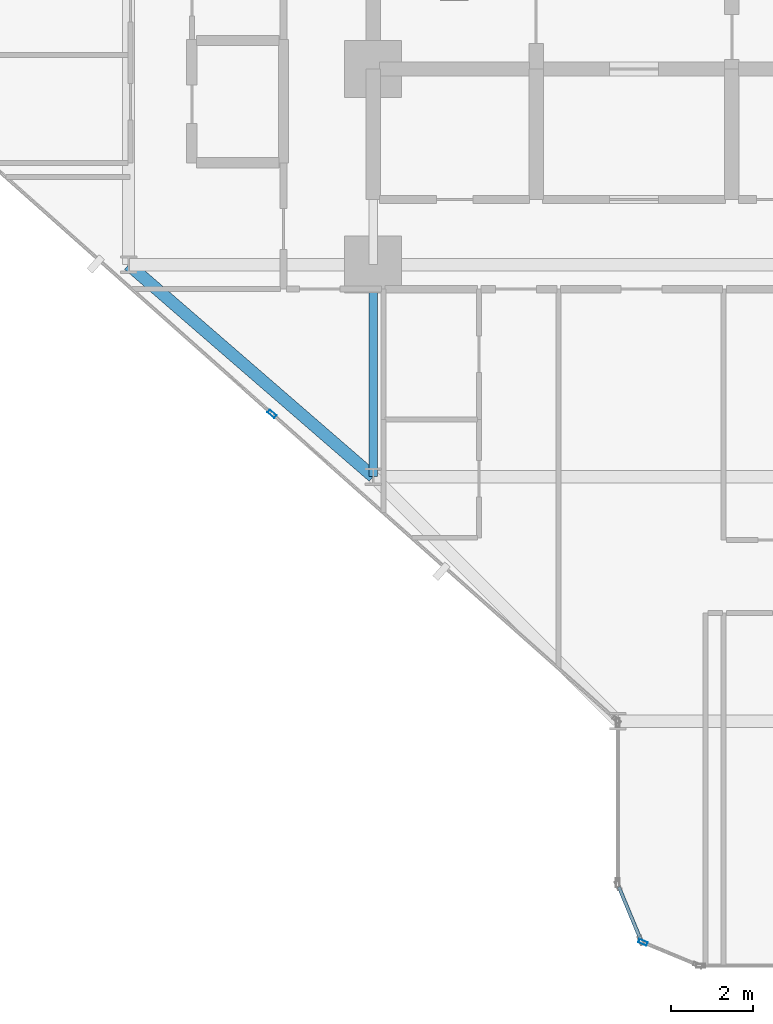
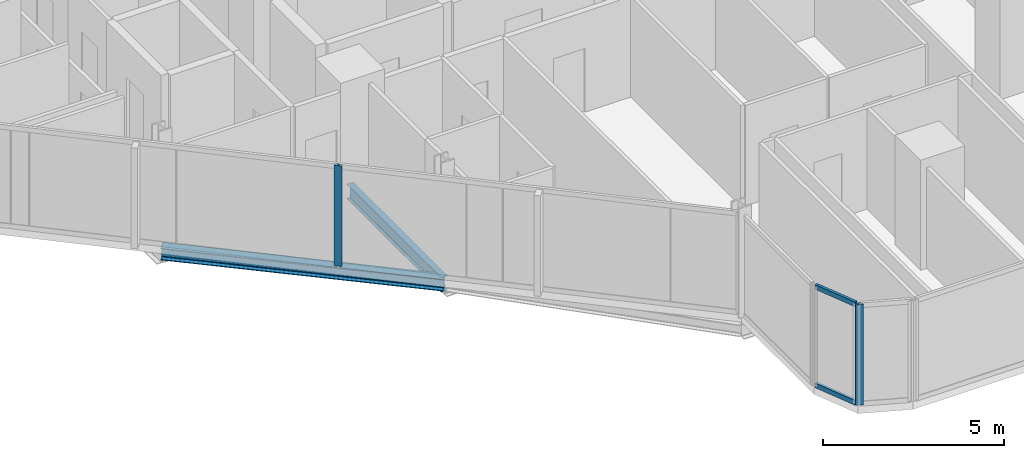
# One storey, part 2 of 34: 4 members, 2 beams, 3 elements without a shape of their own.
"""IFC4 building model written with IfcOpenShell, lengths in metres."""

from ifc_helpers import new_model, si_unit, direction, frame, origin, origin_2d, place, context, subcontext, project, spatial, hollow_rectangle, i_section, extrude, material, layer, layer_set, material_profile, profile_set, type_object, element, aggregate, save


model = new_model("IFC4")

# Units and contexts
model_context = context("Model", 3, precision=1e-05, world=origin(), true_north=direction((0.0, 1.0)))
body_context = subcontext(model_context, "Body", "Model", "MODEL_VIEW")
ifc_project = project(units=[si_unit("LENGTHUNIT", "METRE"), si_unit("AREAUNIT", "SQUARE_METRE"), si_unit("VOLUMEUNIT", "CUBIC_METRE"), si_unit("PLANEANGLEUNIT", "RADIAN"), si_unit("MASSUNIT", "GRAM", prefix="KILO")], contexts=[model_context])

# Site, building, storey
site_placement = place(None, origin())
site = spatial("IfcSite", under=ifc_project, at=site_placement, CompositionType="ELEMENT")
building_placement = place(site_placement, origin())
building = spatial("IfcBuilding", under=site, at=building_placement, Name="Keshet Zoharim Tower", CompositionType="ELEMENT")
storey_placement = place(building_placement, frame((0.0, 0.0, 31.39990234375)))
storey = spatial("IfcBuildingStorey", under=building, at=storey_placement, Name="L06", CompositionType="ELEMENT", Elevation=31.39990234375)

# Beams
ifc_material_1 = material(Name="Steel S355", Category="steel")
ifc_material_profile_1 = material_profile(ifc_material_1, i_section(OverallWidth=0.199951171875, OverallDepth=0.5, WebThickness=0.01025390625, FlangeThickness=0.01611328125, FilletRadius=0.02099609375, at=origin_2d()), Name="IPE500")
ifc_profile_set_1 = profile_set([ifc_material_profile_1], Name="Steel S355")
beam_type_1 = type_object("IfcBeamType", Name="BM-PRI-IP500", PredefinedType="BEAM", material=ifc_profile_set_1)
beam_1_placement = place(storey_placement, frame((15.0, 12.699951171875, -0.56494140625), z_axis=(0.0, 1.0, 0.0), x_axis=(-1.0, 0.0, 0.0)))
element("IfcBeam", 1, at=beam_1_placement, inside=storey, type_object=beam_type_1, Name="L06 Primary Girder Y-002", PredefinedType="BEAM", context=body_context, shape_type="SweptSolid", body=[
    extrude(i_section(OverallWidth=0.199951171875, OverallDepth=0.5, WebThickness=0.01025390625, FlangeThickness=0.01611328125, FilletRadius=0.02099609375, at=origin_2d()), origin(), (0.0, 0.0, 1.0), 5.199951171875),
])
ifc_material_profile_2 = material_profile(ifc_material_1, i_section(OverallWidth=0.300048828125, OverallDepth=0.39990234375, WebThickness=0.013427734375, FlangeThickness=0.02392578125, FilletRadius=0.027099609375, at=origin_2d()), Name="HEB400")
ifc_profile_set_2 = profile_set([ifc_material_profile_2], Name="Steel S355")
beam_type_2 = type_object("IfcBeamType", Name="BM-SPN-HB400", PredefinedType="SPANDREL", material=ifc_profile_set_2)
beam_2_placement = place(storey_placement, frame((9.0, 17.89990234375, -0.514892578125), z_axis=(0.755692126483, -0.654927026447, 0.0), x_axis=(0.654927026447, 0.755692126483, 0.0)))
element("IfcBeam", 2, at=beam_2_placement, inside=storey, type_object=beam_type_2, Name="L06 Perimeter Spandrel Beam 02", PredefinedType="SPANDREL", context=body_context, shape_type="SweptSolid", body=[
    extrude(i_section(OverallWidth=0.300048828125, OverallDepth=0.39990234375, WebThickness=0.013427734375, FlangeThickness=0.02392578125, FilletRadius=0.027099609375, at=origin_2d()), origin(), (0.0, 0.0, 1.0), 7.939697265625),
])

# Curtain wall, member
ifc_material_2 = material(Name="Aluminium 6063-T6", Category="aluminium")
ifc_layer = layer(ifc_material_2, 0.179931640625)
ifc_layer_set = layer_set([ifc_layer], Name="Aluminium 6063-T6")
curtain_wall_type = type_object("IfcCurtainWallType", Name="CW-SYS-01", PredefinedType="NOTDEFINED", material=ifc_layer_set)
curtain_wall_1_placement = place(storey_placement, origin())
curtain_wall_1 = element("IfcCurtainWall", 3, at=curtain_wall_1_placement, inside=storey, type_object=curtain_wall_type, Name="L06 Unitised Curtain Wall 01", PredefinedType="NOTDEFINED")
ifc_material_profile_3 = material_profile(ifc_material_2, hollow_rectangle(XDim=0.090087890625, YDim=0.219970703125, WallThickness=0.0048828125, at=origin_2d()), Name="MUL-90x220")
ifc_profile_set_3 = profile_set([ifc_material_profile_3], Name="Aluminium 6063-T6")
member_type_1 = type_object("IfcMemberType", Name="CWM-M22", PredefinedType="MULLION", material=ifc_profile_set_3)
member_1_placement = place(storey_placement, frame((12.517578125, 14.239990234375, 0.0), z_axis=(0.0, 0.0, 1.0), x_axis=(-0.664363838836, -0.747409318679, 0.0)))
member_1 = element("IfcMember", 4, at=member_1_placement, type_object=member_type_1, Name="CW-01 mullion 2", PredefinedType="MULLION", context=body_context, shape_type="SweptSolid", body=[
    extrude(hollow_rectangle(XDim=0.090087890625, YDim=0.219970703125, WallThickness=0.0048828125, at=origin_2d()), origin(), (0.0, 0.0, 1.0), 3.385009765625),
])
aggregate(curtain_wall_1, [member_1])

curtain_wall_2_placement = place(storey_placement, origin())
curtain_wall_2 = element("IfcCurtainWall", 5, at=curtain_wall_2_placement, inside=storey, type_object=curtain_wall_type, Name="L06 Unitised Curtain Wall 27", PredefinedType="NOTDEFINED")
member_2_placement = place(storey_placement, frame((21.618408203125, 1.272705078125, 0.0), z_axis=(0.0, 0.0, 1.0), x_axis=(-0.382851849847, -0.92380975372, 0.0)))
member_2 = element("IfcMember", 6, at=member_2_placement, type_object=member_type_1, Name="CW-01 mullion 2", PredefinedType="MULLION", context=body_context, shape_type="SweptSolid", body=[
    extrude(hollow_rectangle(XDim=0.090087890625, YDim=0.219970703125, WallThickness=0.0048828125, at=origin_2d()), origin(), (0.0, 0.0, 1.0), 3.385009765625),
])
aggregate(curtain_wall_2, [member_2])

# Curtain wall, members
curtain_wall_3_placement = place(storey_placement, origin())
curtain_wall_3 = element("IfcCurtainWall", 7, at=curtain_wall_3_placement, inside=storey, type_object=curtain_wall_type, Name="L06 Unitised Curtain Wall 28", PredefinedType="NOTDEFINED")
ifc_material_profile_4 = material_profile(ifc_material_2, hollow_rectangle(XDim=0.0849609375, YDim=0.159912109375, WallThickness=0.00439453125, at=origin_2d()), Name="TRN-85x160")
ifc_profile_set_4 = profile_set([ifc_material_profile_4], Name="Aluminium 6063-T6")
member_type_2 = type_object("IfcMemberType", Name="CWT-T16", PredefinedType="USERDEFINED", material=ifc_profile_set_4)
member_3_placement = place(storey_placement, frame((21.55908203125, 1.3505859375, 0.03515625), z_axis=(-0.382744609247, 0.923854189844, 0.0), x_axis=(-0.923854189844, -0.382744609247, 0.0)))
member_3 = element("IfcMember", 8, at=member_3_placement, type_object=member_type_2, Name="CW-01 transom 1.1", ObjectType="TRANSOM", PredefinedType="USERDEFINED", context=body_context, shape_type="SweptSolid", body=[
    extrude(hollow_rectangle(XDim=0.0849609375, YDim=0.159912109375, WallThickness=0.00439453125, at=origin_2d()), origin(), (0.0, 0.0, 1.0), 1.390625),
])
member_4_placement = place(storey_placement, frame((21.55908203125, 1.3505859375, 3.35009765625), z_axis=(-0.382744609247, 0.923854189844, 0.0), x_axis=(-0.923854189844, -0.382744609247, 0.0)))
member_4 = element("IfcMember", 9, at=member_4_placement, type_object=member_type_2, Name="CW-01 transom 1.2", ObjectType="TRANSOM", PredefinedType="USERDEFINED", context=body_context, shape_type="SweptSolid", body=[
    extrude(hollow_rectangle(XDim=0.0849609375, YDim=0.159912109375, WallThickness=0.00439453125, at=origin_2d()), origin(), (0.0, 0.0, 1.0), 1.390625),
])
aggregate(curtain_wall_3, [member_3, member_4])

save(model, "model.ifc")
